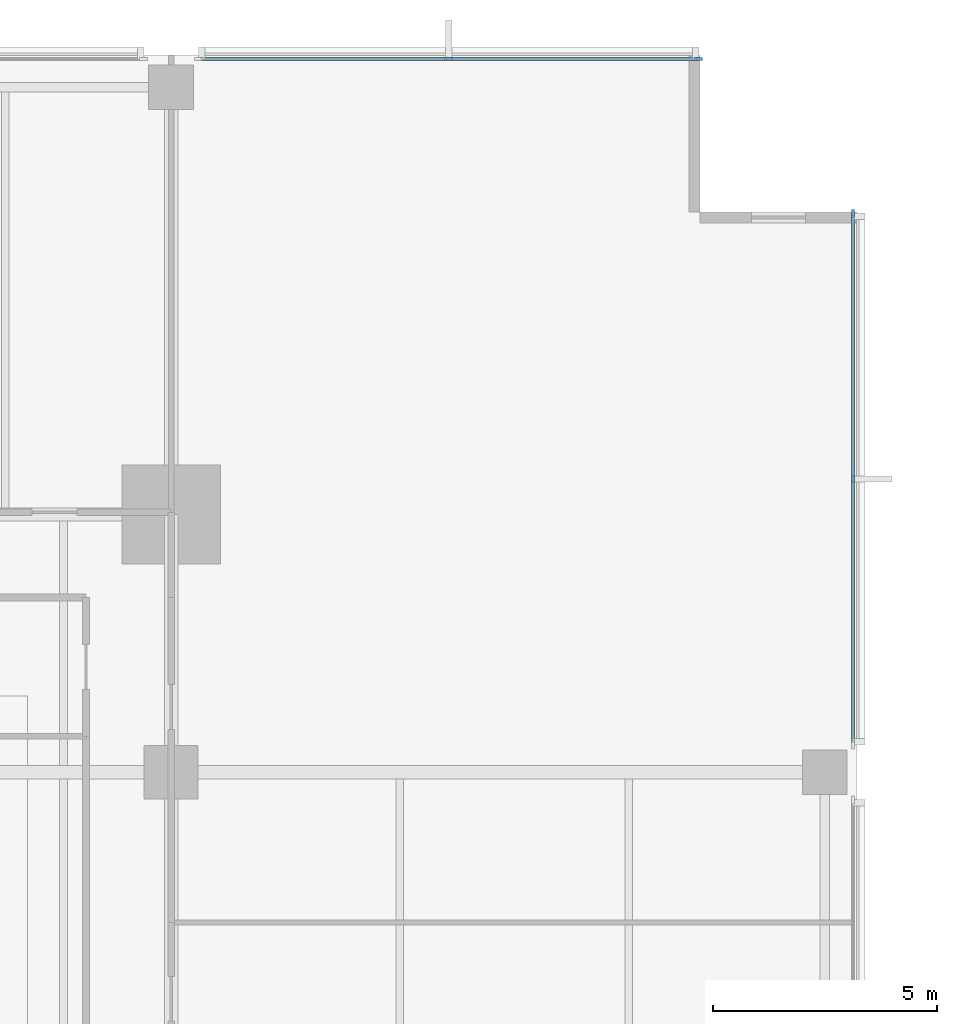
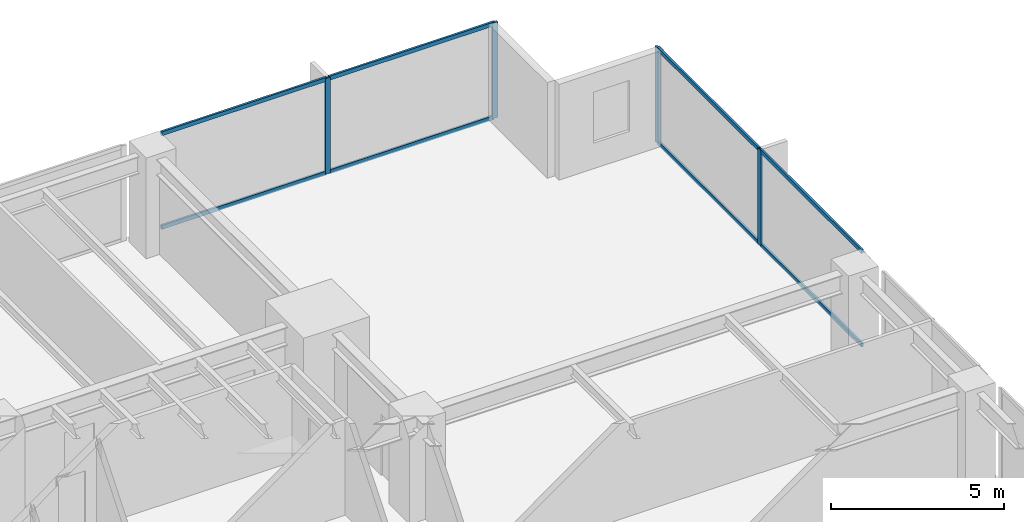
# One storey, part 6 of 15: 12 members, 2 elements without a shape of their own.
"""IFC4 building model written with IfcOpenShell, lengths in metres."""

from ifc_helpers import new_model, si_unit, direction, frame, origin, origin_2d, place, context, subcontext, project, spatial, rectangle, extrude, material, layer, layer_set, material_profile, profile_set, type_object, element, aggregate, save


model = new_model("IFC4")

# Units and contexts
model_context = context("Model", 3, precision=1e-05, world=origin(), true_north=direction((0.0, 1.0)))
body_context = subcontext(model_context, "Body", "Model", "MODEL_VIEW")
ifc_project = project(units=[si_unit("LENGTHUNIT", "METRE"), si_unit("AREAUNIT", "SQUARE_METRE"), si_unit("VOLUMEUNIT", "CUBIC_METRE"), si_unit("PLANEANGLEUNIT", "RADIAN"), si_unit("MASSUNIT", "GRAM", prefix="KILO")], contexts=[model_context])

# Site, building, storey
site_placement = place(None, origin())
site = spatial("IfcSite", under=ifc_project, at=site_placement, CompositionType="ELEMENT")
building_placement = place(site_placement, origin())
building = spatial("IfcBuilding", under=site, at=building_placement, Name="Kinhvarn Gate Tower", CompositionType="ELEMENT")
storey_placement = place(building_placement, frame((0.0, 0.0, 64.64990234375)))
storey = spatial("IfcBuildingStorey", under=building, at=storey_placement, Name="L16", CompositionType="ELEMENT", Elevation=64.64990234375)

# Curtain wall, members
ifc_material = material(Name="Anodised aluminium AW-6063", Category="aluminium")
ifc_layer = layer(ifc_material, 0.179931640625)
ifc_layer_set = layer_set([ifc_layer], Name="Anodised aluminium AW-6063")
curtain_wall_type = type_object("IfcCurtainWallType", Name="CW-SYS-2", PredefinedType="NOTDEFINED", material=ifc_layer_set)
curtain_wall_1_placement = place(storey_placement, origin())
curtain_wall_1 = element("IfcCurtainWall", 1, at=curtain_wall_1_placement, inside=storey, type_object=curtain_wall_type, Name="Curtain Wall CW2 (L16)", PredefinedType="NOTDEFINED")
ifc_material_profile_1 = material_profile(ifc_material, rectangle(XDim=0.070068359375, YDim=0.179931640625, at=origin_2d()), Name="ALU 70x180")
ifc_profile_set_1 = profile_set([ifc_material_profile_1], Name="Anodised aluminium AW-6063")
member_type_1 = type_object("IfcMemberType", Name="CW-MUL-180", PredefinedType="MULLION", material=ifc_profile_set_1)
member_1_placement = place(storey_placement, frame((49.965087890625, 47.909912109375, 0.0), z_axis=(0.0, 0.0, 1.0), x_axis=(0.0, -1.0, 0.0)))
member_1 = element("IfcMember", 2, at=member_1_placement, type_object=member_type_1, Name="CW2 mullion 1", PredefinedType="MULLION", context=body_context, shape_type="SweptSolid", body=[
    extrude(rectangle(XDim=0.070068359375, YDim=0.179931640625, at=origin_2d()), origin(), (0.0, 0.0, 1.0), 3.3701171875),
])
member_2_placement = place(storey_placement, frame((44.389892578125, 47.909912109375, 0.0), z_axis=(0.0, 0.0, 1.0), x_axis=(0.0, -1.0, 0.0)))
member_2 = element("IfcMember", 3, at=member_2_placement, type_object=member_type_1, Name="CW2 mullion 2", PredefinedType="MULLION", context=body_context, shape_type="SweptSolid", body=[
    extrude(rectangle(XDim=0.070068359375, YDim=0.179931640625, at=origin_2d()), origin(), (0.0, 0.0, 1.0), 3.3701171875),
])

curtain_wall_2_placement = place(storey_placement, origin())
curtain_wall_2 = element("IfcCurtainWall", 4, at=curtain_wall_2_placement, inside=storey, type_object=curtain_wall_type, Name="Curtain Wall CW2 (L16)", PredefinedType="NOTDEFINED")
member_3_placement = place(storey_placement, frame((53.409912109375, 38.5400390625, 0.0), z_axis=(0.0, 0.0, 1.0), x_axis=(-1.0, 0.0, 0.0)))
member_3 = element("IfcMember", 5, at=member_3_placement, type_object=member_type_1, Name="CW2 mullion 2", PredefinedType="MULLION", context=body_context, shape_type="SweptSolid", body=[
    extrude(rectangle(XDim=0.070068359375, YDim=0.179931640625, at=origin_2d()), origin(), (0.0, 0.0, 1.0), 3.3701171875),
])
member_4_placement = place(storey_placement, frame((53.409912109375, 44.465087890625, 0.0), z_axis=(0.0, 0.0, 1.0), x_axis=(-1.0, 0.0, 0.0)))
member_4 = element("IfcMember", 6, at=member_4_placement, type_object=member_type_1, Name="CW2 mullion 3", PredefinedType="MULLION", context=body_context, shape_type="SweptSolid", body=[
    extrude(rectangle(XDim=0.070068359375, YDim=0.179931640625, at=origin_2d()), origin(), (0.0, 0.0, 1.0), 3.3701171875),
])

# Member
ifc_material_profile_2 = material_profile(ifc_material, rectangle(XDim=0.070068359375, YDim=0.139892578125, at=origin_2d()), Name="ALU 70x140")
ifc_profile_set_2 = profile_set([ifc_material_profile_2], Name="Anodised aluminium AW-6063")
member_type_2 = type_object("IfcMemberType", Name="CW-TRN-140", PredefinedType="USERDEFINED", material=ifc_profile_set_2)
member_5_placement = place(storey_placement, frame((49.929931640625, 47.909912109375, 0.03515625), z_axis=(-1.0, 0.0, 0.0), x_axis=(0.0, -1.0, 0.0)))
member_5 = element("IfcMember", 7, at=member_5_placement, type_object=member_type_2, Name="CW2 transom 1.1", ObjectType="TRANSOM", PredefinedType="USERDEFINED", context=body_context, shape_type="SweptSolid", body=[
    extrude(rectangle(XDim=0.070068359375, YDim=0.139892578125, at=origin_2d()), origin(), (0.0, 0.0, 1.0), 5.5048828125),
])

member_6_placement = place(storey_placement, frame((49.929931640625, 47.909912109375, 3.335205078125), z_axis=(-1.0, 0.0, 0.0), x_axis=(0.0, -1.0, 0.0)))
member_6 = element("IfcMember", 8, at=member_6_placement, type_object=member_type_2, Name="CW2 transom 1.2", ObjectType="TRANSOM", PredefinedType="USERDEFINED", context=body_context, shape_type="SweptSolid", body=[
    extrude(rectangle(XDim=0.070068359375, YDim=0.139892578125, at=origin_2d()), origin(), (0.0, 0.0, 1.0), 5.5048828125),
])

member_7_placement = place(storey_placement, frame((44.35498046875, 47.909912109375, 0.03515625), z_axis=(-1.0, 0.0, 0.0), x_axis=(0.0, -1.0, 0.0)))
member_7 = element("IfcMember", 9, at=member_7_placement, type_object=member_type_2, Name="CW2 transom 2.1", ObjectType="TRANSOM", PredefinedType="USERDEFINED", context=body_context, shape_type="SweptSolid", body=[
    extrude(rectangle(XDim=0.070068359375, YDim=0.139892578125, at=origin_2d()), origin(), (0.0, 0.0, 1.0), 5.5048828125),
])

member_8_placement = place(storey_placement, frame((44.35498046875, 47.909912109375, 3.335205078125), z_axis=(-1.0, 0.0, 0.0), x_axis=(0.0, -1.0, 0.0)))
member_8 = element("IfcMember", 10, at=member_8_placement, type_object=member_type_2, Name="CW2 transom 2.2", ObjectType="TRANSOM", PredefinedType="USERDEFINED", context=body_context, shape_type="SweptSolid", body=[
    extrude(rectangle(XDim=0.070068359375, YDim=0.139892578125, at=origin_2d()), origin(), (0.0, 0.0, 1.0), 5.5048828125),
])

aggregate(curtain_wall_1, [member_1, member_2, member_5, member_6, member_7, member_8])

member_9_placement = place(storey_placement, frame((53.409912109375, 32.64990234375, 0.03515625), z_axis=(0.0, 1.0, 0.0), x_axis=(-1.0, 0.0, 0.0)))
member_9 = element("IfcMember", 11, at=member_9_placement, type_object=member_type_2, Name="CW2 transom 1.1", ObjectType="TRANSOM", PredefinedType="USERDEFINED", context=body_context, shape_type="SweptSolid", body=[
    extrude(rectangle(XDim=0.070068359375, YDim=0.139892578125, at=origin_2d()), origin(), (0.0, 0.0, 1.0), 5.85498046875),
])

member_10_placement = place(storey_placement, frame((53.409912109375, 32.64990234375, 3.335205078125), z_axis=(0.0, 1.0, 0.0), x_axis=(-1.0, 0.0, 0.0)))
member_10 = element("IfcMember", 12, at=member_10_placement, type_object=member_type_2, Name="CW2 transom 1.2", ObjectType="TRANSOM", PredefinedType="USERDEFINED", context=body_context, shape_type="SweptSolid", body=[
    extrude(rectangle(XDim=0.070068359375, YDim=0.139892578125, at=origin_2d()), origin(), (0.0, 0.0, 1.0), 5.85498046875),
])

member_11_placement = place(storey_placement, frame((53.409912109375, 38.574951171875, 0.03515625), z_axis=(0.0, 1.0, 0.0), x_axis=(-1.0, 0.0, 0.0)))
member_11 = element("IfcMember", 13, at=member_11_placement, type_object=member_type_2, Name="CW2 transom 2.1", ObjectType="TRANSOM", PredefinedType="USERDEFINED", context=body_context, shape_type="SweptSolid", body=[
    extrude(rectangle(XDim=0.070068359375, YDim=0.139892578125, at=origin_2d()), origin(), (0.0, 0.0, 1.0), 5.85498046875),
])

member_12_placement = place(storey_placement, frame((53.409912109375, 38.574951171875, 3.335205078125), z_axis=(0.0, 1.0, 0.0), x_axis=(-1.0, 0.0, 0.0)))
member_12 = element("IfcMember", 14, at=member_12_placement, type_object=member_type_2, Name="CW2 transom 2.2", ObjectType="TRANSOM", PredefinedType="USERDEFINED", context=body_context, shape_type="SweptSolid", body=[
    extrude(rectangle(XDim=0.070068359375, YDim=0.139892578125, at=origin_2d()), origin(), (0.0, 0.0, 1.0), 5.85498046875),
])

aggregate(curtain_wall_2, [member_3, member_4, member_9, member_10, member_11, member_12])

save(model, "model.ifc")
